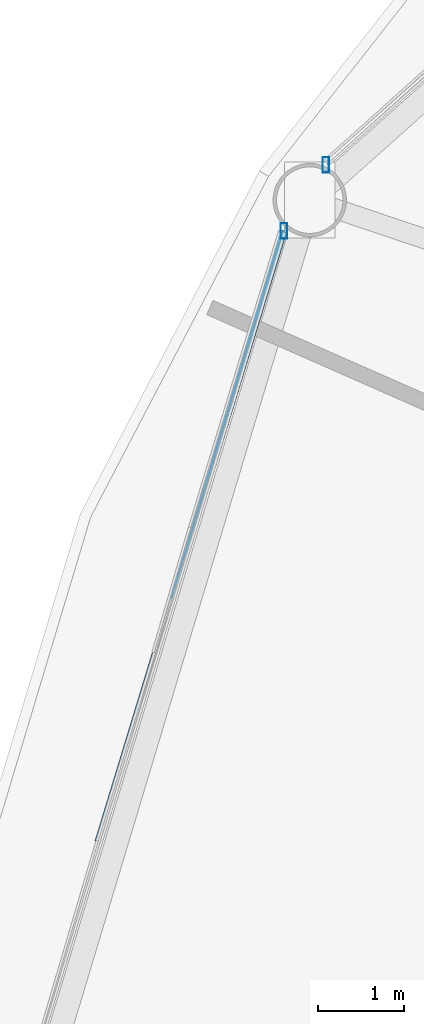
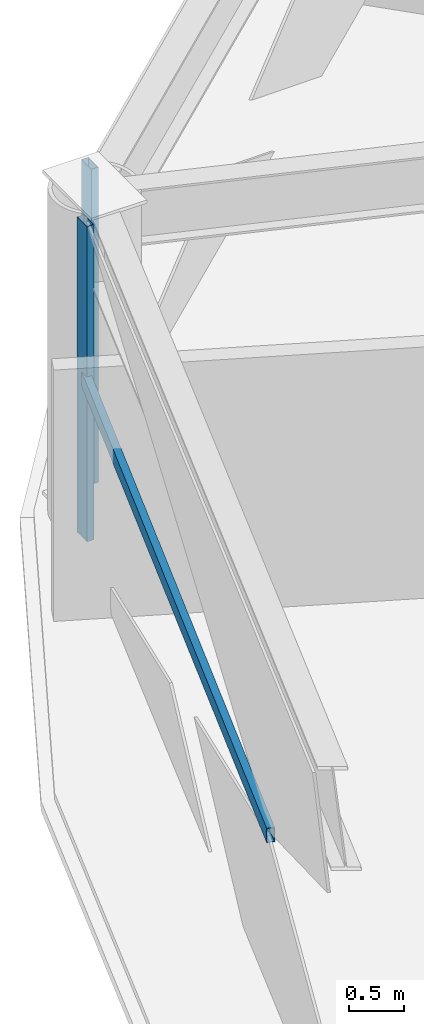
# One storey, part 13 of 29: 3 members, 2 elements without a shape of their own.
"""IFC4 building model written with IfcOpenShell, lengths in metres."""

import ifcopenshell
import ifcopenshell.guid

model = None  # the IFC model being written
_history = None  # IfcOwnerHistory: only IFC2X3 demands one
_inside = {}  # id of a spatial element -> (the spatial element, [elements in it])
_under = {}  # id of a project, library or spatial element -> (it, [spatial elements below it])
_declared = {}  # id of a project -> (the project, [libraries it declares])
_typed = {}  # id of a type object -> (the type object, [elements of that type])
_made_of = {}  # id of a material, layer set ... -> (it, [elements and type objects made of it])


def new_model(schema):
    """Start an empty IFC model of exactly this schema.

    Asked for "IFC4X3", IfcOpenShell would pick the latest addendum, in which some entities
    have other attributes; the version numbers below select the first issue.
    IFC2X3 requires an IfcOwnerHistory on every rooted entity: one is made here for all.
    """
    global model, _history
    if schema == "IFC4X3":
        model = ifcopenshell.file(schema_version=(4, 3, 0, 0))
    else:
        model = ifcopenshell.file(schema=schema)
    _inside.clear()
    _under.clear()
    _declared.clear()
    _typed.clear()
    _made_of.clear()
    _history = None
    if model.schema == "IFC2X3":
        org = make("IfcOrganization", Name="unknown")
        user = make(
            "IfcPersonAndOrganization",
            ThePerson=make("IfcPerson", FamilyName="unknown"),
            TheOrganization=org,
        )
        app = make(
            "IfcApplication",
            ApplicationDeveloper=org,
            Version="unknown",
            ApplicationFullName="unknown",
            ApplicationIdentifier="unknown",
        )
        _history = make(
            "IfcOwnerHistory",
            OwningUser=user,
            OwningApplication=app,
            ChangeAction="ADDED",
            CreationDate=0,
        )
    return model


def make(cls, **values):
    """One entity of the class cls with the attributes given. An attribute that is None is left unset."""
    return model.create_entity(
        cls, **{name: value for name, value in values.items() if value is not None}
    )


def rooted(cls, **values):
    """An entity with a GlobalId (a new one), such as an element, a storey or a relation."""
    return make(cls, GlobalId=ifcopenshell.guid.new(), OwnerHistory=_history, **values)


def si_unit(unit_type, name, prefix=None):
    """IfcSIUnit, for example si_unit("LENGTHUNIT", "METRE", prefix="MILLI")."""
    return make("IfcSIUnit", UnitType=unit_type, Prefix=prefix, Name=name)


def assignment(units):
    """IfcUnitAssignment: the units of a project."""
    return None if units is None else make("IfcUnitAssignment", Units=units)


def point(xyz):
    """IfcCartesianPoint."""
    return None if xyz is None else make("IfcCartesianPoint", Coordinates=xyz)


def direction(xyz):
    """IfcDirection."""
    return None if xyz is None else make("IfcDirection", DirectionRatios=xyz)


def frame(location, z_axis=None, x_axis=None):
    """IfcAxis2Placement3D, a coordinate frame: its origin and axes. An axis left out is left unset."""
    return make(
        "IfcAxis2Placement3D",
        Location=point(location),
        Axis=direction(z_axis),
        RefDirection=direction(x_axis),
    )


def frame_2d(location, x_axis=None):
    """IfcAxis2Placement2D, a coordinate frame in the plane: its origin and x axis."""
    return make(
        "IfcAxis2Placement2D", Location=point(location), RefDirection=direction(x_axis)
    )


def origin():
    """The frame at (0, 0, 0) with its axes left unset."""
    return frame((0.0, 0.0, 0.0))


def origin_2d():
    """The frame at (0, 0) in the plane with its x axis left unset."""
    return frame_2d((0.0, 0.0))


def place(relative_to, where):
    """IfcLocalPlacement: puts the frame where relative to a parent placement (None: the world)."""
    return make(
        "IfcLocalPlacement", PlacementRelTo=relative_to, RelativePlacement=where
    )


def context(
    kind, dimensions, precision=None, world=None, true_north=None, identifier=None
):
    """IfcGeometricRepresentationContext, for example the 3D "Model" context."""
    return make(
        "IfcGeometricRepresentationContext",
        ContextIdentifier=identifier,
        ContextType=kind,
        CoordinateSpaceDimension=dimensions,
        Precision=precision,
        WorldCoordinateSystem=world,
        TrueNorth=true_north,
    )


def subcontext(parent, identifier, kind, view, scale=None):
    """IfcGeometricRepresentationSubContext, for example "Body" below "Model"."""
    return make(
        "IfcGeometricRepresentationSubContext",
        ContextIdentifier=identifier,
        ContextType=kind,
        ParentContext=parent,
        TargetScale=scale,
        TargetView=view,
    )


def project(units=None, contexts=None):
    """IfcProject with its units and contexts."""
    return rooted(
        "IfcProject",
        Name="project",
        RepresentationContexts=contexts,
        UnitsInContext=assignment(units),
    )


def spatial(cls, under=None, at=None, **own):
    """A site, building, storey or space (cls), placed at a placement, below another one or the project."""
    s = rooted(cls, ObjectPlacement=at, **own)
    if under is not None:
        _under.setdefault(under.id(), (under, []))[1].append(s)
    return s


def profile(cls, at=None, kind="AREA", **sizes):
    """A parametric profile (cls). Its sizes go by their IFC names, for example OverallWidth=200.0."""
    return make(cls, ProfileType=kind, Position=at, **sizes)


def hollow_rectangle(**sizes):
    """IfcRectangleHollowProfileDef."""
    return profile("IfcRectangleHollowProfileDef", **sizes)


def extrude(swept, where, along, depth):
    """IfcExtrudedAreaSolid: the profile swept, set in the frame where, extruded along a direction by depth."""
    return make(
        "IfcExtrudedAreaSolid",
        SweptArea=swept,
        Position=where,
        ExtrudedDirection=direction(along),
        Depth=depth,
    )


def shape(context_of_items, identifier, shape_type, items):
    """IfcShapeRepresentation: the items that make up one representation, for example the "Body"."""
    return make(
        "IfcShapeRepresentation",
        ContextOfItems=context_of_items,
        RepresentationIdentifier=identifier,
        RepresentationType=shape_type,
        Items=items,
    )


def material(Name=None, Category=None):
    """IfcMaterial."""
    return make("IfcMaterial", Name=Name, Category=Category)


def layer(
    of_material, thickness, ventilated=None, Name=None, Category=None, Priority=None
):
    """IfcMaterialLayer: one layer of a wall or slab, of a material (None: an air gap)."""
    return make(
        "IfcMaterialLayer",
        Material=of_material,
        LayerThickness=thickness,
        IsVentilated=ventilated,
        Name=Name,
        Category=Category,
        Priority=Priority,
    )


def layer_set(layers, Name=None):
    """IfcMaterialLayerSet."""
    return make("IfcMaterialLayerSet", MaterialLayers=layers, LayerSetName=Name)


def material_profile(
    of_material, cross_section, Name=None, Category=None, Priority=None
):
    """IfcMaterialProfile: a cross section and its material."""
    return make(
        "IfcMaterialProfile",
        Name=Name,
        Material=of_material,
        Profile=cross_section,
        Priority=Priority,
        Category=Category,
    )


def profile_set(profiles, Name=None, composite=None):
    """IfcMaterialProfileSet."""
    return make(
        "IfcMaterialProfileSet",
        Name=Name,
        MaterialProfiles=profiles,
        CompositeProfile=composite,
    )


def made_of(thing, what):
    """Note that an element or type object is made of a material, layer set ...; save() writes the relation."""
    if what is not None:
        _made_of.setdefault(what.id(), (what, []))[1].append(thing)
    return thing


def type_object(cls, material=None, **own):
    """A type object (cls), such as IfcWallType, which elements share."""
    return made_of(rooted(cls, **own), material)


def element(
    cls,
    number,
    at=None,
    inside=None,
    cuts=None,
    type_object=None,
    material=None,
    context=None,
    identifier="Body",
    shape_type=None,
    held_by="IfcProductDefinitionShape",
    body=None,
    shapes=None,
    **own,
):
    """One element of the class cls, such as IfcWall. Its Tag is "e" and its number.

    at: its placement. inside: the storey or other place that contains it. cuts: it is an
    opening in that element (IfcRelVoidsElement). A single representation is given by context,
    identifier, shape_type and body (its items); several are given by shapes. held_by: the class
    of the entity that holds the representations. save() writes the other relations.
    """
    e = rooted(cls, Tag="e%d" % number, ObjectPlacement=at, **own)
    if body is not None:
        shapes = [shape(context, identifier, shape_type, body)]
    if shapes is not None:
        e.Representation = make(held_by, Representations=shapes)
    if inside is not None:
        _inside.setdefault(inside.id(), (inside, []))[1].append(e)
    if cuts is not None:
        rooted(
            "IfcRelVoidsElement", RelatingBuildingElement=cuts, RelatedOpeningElement=e
        )
    if type_object is not None:
        _typed.setdefault(type_object.id(), (type_object, []))[1].append(e)
    return made_of(e, material)


def aggregate(whole, parts):
    """IfcRelAggregates: a whole, such as a stair, and the parts it consists of."""
    return rooted("IfcRelAggregates", RelatingObject=whole, RelatedObjects=parts)


def save(model, path):
    """Write the relations noted so far, then the file.

    IfcRelAggregates (storeys below a building ...), IfcRelContainedInSpatialStructure (elements
    in a storey), IfcRelDefinesByType, IfcRelAssociatesMaterial and IfcRelDeclares: one each for
    every whole, place, type object, material and project.
    """
    for whole, parts in _under.values():
        aggregate(whole, parts)
    for where, things in _inside.values():
        rooted(
            "IfcRelContainedInSpatialStructure",
            RelatedElements=things,
            RelatingStructure=where,
        )
    for kind, things in _typed.values():
        rooted("IfcRelDefinesByType", RelatedObjects=things, RelatingType=kind)
    for what, things in _made_of.values():
        rooted("IfcRelAssociatesMaterial", RelatedObjects=things, RelatingMaterial=what)
    for by, libraries in _declared.values():
        rooted("IfcRelDeclares", RelatingContext=by, RelatedDefinitions=libraries)
    model.write(path)


model = new_model("IFC4")

# Units and contexts
model_context = context("Model", 3, precision=1e-05, world=origin(), true_north=direction((0.0, 1.0)))
body_context = subcontext(model_context, "Body", "Model", "MODEL_VIEW")
ifc_project = project(units=[si_unit("LENGTHUNIT", "METRE"), si_unit("AREAUNIT", "SQUARE_METRE"), si_unit("VOLUMEUNIT", "CUBIC_METRE"), si_unit("PLANEANGLEUNIT", "RADIAN"), si_unit("MASSUNIT", "GRAM", prefix="KILO")], contexts=[model_context])

# Site, building, storey
site_placement = place(None, origin())
site = spatial("IfcSite", under=ifc_project, at=site_placement, CompositionType="ELEMENT")
building_placement = place(site_placement, origin())
building = spatial("IfcBuilding", under=site, at=building_placement, Name="Vantalir Tower", CompositionType="ELEMENT")
storey_placement = place(building_placement, frame((0.0, 0.0, 60.75)))
storey = spatial("IfcBuildingStorey", under=building, at=storey_placement, Name="L14", CompositionType="ELEMENT", Elevation=60.75)

# Curtain wall, member
ifc_material_1 = material(Name="Champagne-silver PVDF aluminium and double-silver Low-E glass", Category="aluminium")
ifc_layer = layer(ifc_material_1, 0.18994140625)
ifc_layer_set = layer_set([ifc_layer], Name="Champagne-silver PVDF aluminium and double-silver Low-E glass")
curtain_wall_type = type_object("IfcCurtainWallType", Name="CW-DIAMOND-Z1", PredefinedType="USERDEFINED", material=ifc_layer_set)
curtain_wall_1_placement = place(storey_placement, origin())
curtain_wall_1 = element("IfcCurtainWall", 1, at=curtain_wall_1_placement, inside=storey, type_object=curtain_wall_type, Name="L14 Quilted Pyramid-Diamond Curtain Wall S05", ObjectType="UNITISED CURTAIN WALL", PredefinedType="USERDEFINED")
ifc_material_2 = material(Name="Champagne-silver PVDF aluminium 6063-T6", Category="aluminium")
ifc_material_profile_1 = material_profile(ifc_material_2, hollow_rectangle(XDim=0.074951171875, YDim=0.179931640625, WallThickness=0.00390625, at=origin_2d()), Name="Champagne-silver PVDF aluminium 6063-T6")
ifc_profile_set_1 = profile_set([ifc_material_profile_1], Name="Champagne-silver PVDF aluminium 6063-T6")
member_type_1 = type_object("IfcMemberType", Name="CWM-180x75", PredefinedType="MULLION", material=ifc_profile_set_1)
member_1_placement = place(storey_placement, frame((7.9130859375, 37.633056640625, 0.044921875), z_axis=(0.0, 0.0, 1.0), x_axis=(1.0, 0.0, 0.0)))
member_1 = element("IfcMember", 2, at=member_1_placement, type_object=member_type_1, Name="CW-L14-S05 Mullion 2", PredefinedType="MULLION", context=body_context, shape_type="SweptSolid", body=[
    extrude(hollow_rectangle(XDim=0.074951171875, YDim=0.179931640625, WallThickness=0.00390625, at=origin_2d()), origin(), (0.0, 0.0, 1.0), 3.47998046875),
])
aggregate(curtain_wall_1, [member_1])

# Curtain wall, members
curtain_wall_2_placement = place(storey_placement, origin())
curtain_wall_2 = element("IfcCurtainWall", 3, at=curtain_wall_2_placement, inside=storey, type_object=curtain_wall_type, Name="L14 Quilted Pyramid-Diamond Curtain Wall S06", ObjectType="UNITISED CURTAIN WALL", PredefinedType="USERDEFINED")
member_2_placement = place(storey_placement, frame((7.427001953125, 36.8701171875, 0.044921875), z_axis=(0.0, 0.0, 1.0), x_axis=(1.0, 0.0, 0.0)))
member_2 = element("IfcMember", 4, at=member_2_placement, type_object=member_type_1, Name="CW-L14-S06 Mullion 1", PredefinedType="MULLION", context=body_context, shape_type="SweptSolid", body=[
    extrude(hollow_rectangle(XDim=0.074951171875, YDim=0.179931640625, WallThickness=0.00390625, at=origin_2d()), origin(), (0.0, 0.0, 1.0), 3.47998046875),
])
ifc_material_profile_2 = material_profile(ifc_material_2, hollow_rectangle(XDim=0.074951171875, YDim=0.159912109375, WallThickness=0.00390625, at=origin_2d()), Name="Champagne-silver PVDF aluminium 6063-T6")
ifc_profile_set_2 = profile_set([ifc_material_profile_2], Name="Champagne-silver PVDF aluminium 6063-T6")
member_type_2 = type_object("IfcMemberType", Name="CWT-160x75", PredefinedType="USERDEFINED", material=ifc_profile_set_2)
member_3_placement = place(storey_placement, frame((7.427001953125, 36.8701171875, 1.784912109375), z_axis=(-0.29097377904, -0.956731027986, 0.0), x_axis=(0.956731027986, -0.29097377904, 0.0)))
member_3 = element("IfcMember", 5, at=member_3_placement, type_object=member_type_2, Name="CW-L14-S06 Pyramid Fold Ridge Transom", ObjectType="TRANSOM", PredefinedType="USERDEFINED", context=body_context, shape_type="SweptSolid", body=[
    extrude(hollow_rectangle(XDim=0.074951171875, YDim=0.159912109375, WallThickness=0.00390625, at=origin_2d()), origin(), (0.0, 0.0, 1.0), 7.396240234375),
])
aggregate(curtain_wall_2, [member_2, member_3])

save(model, "model.ifc")
